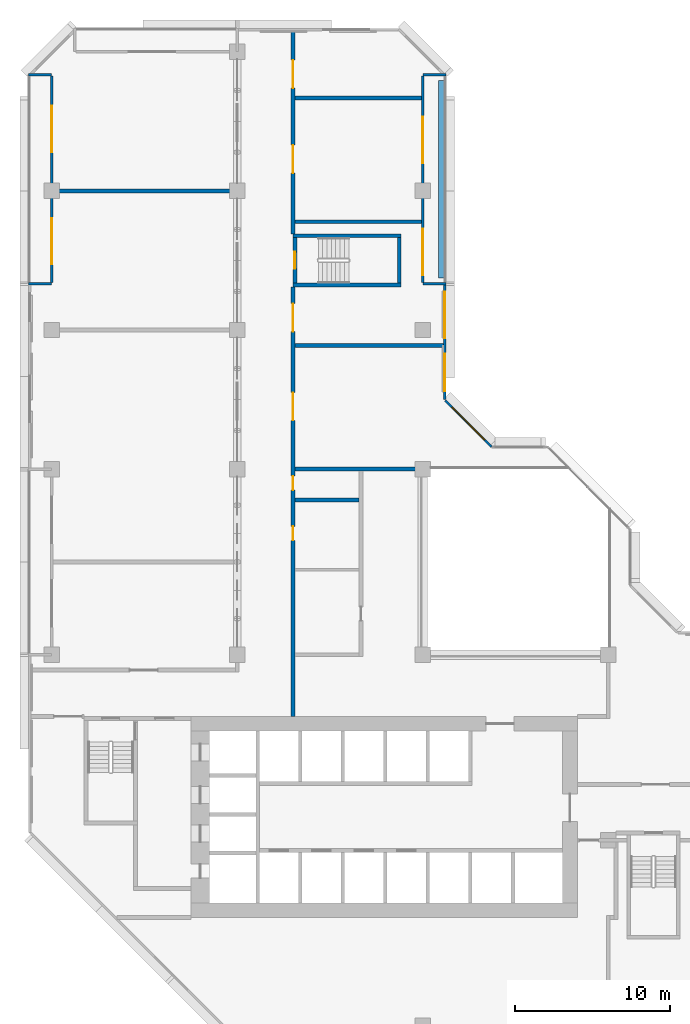
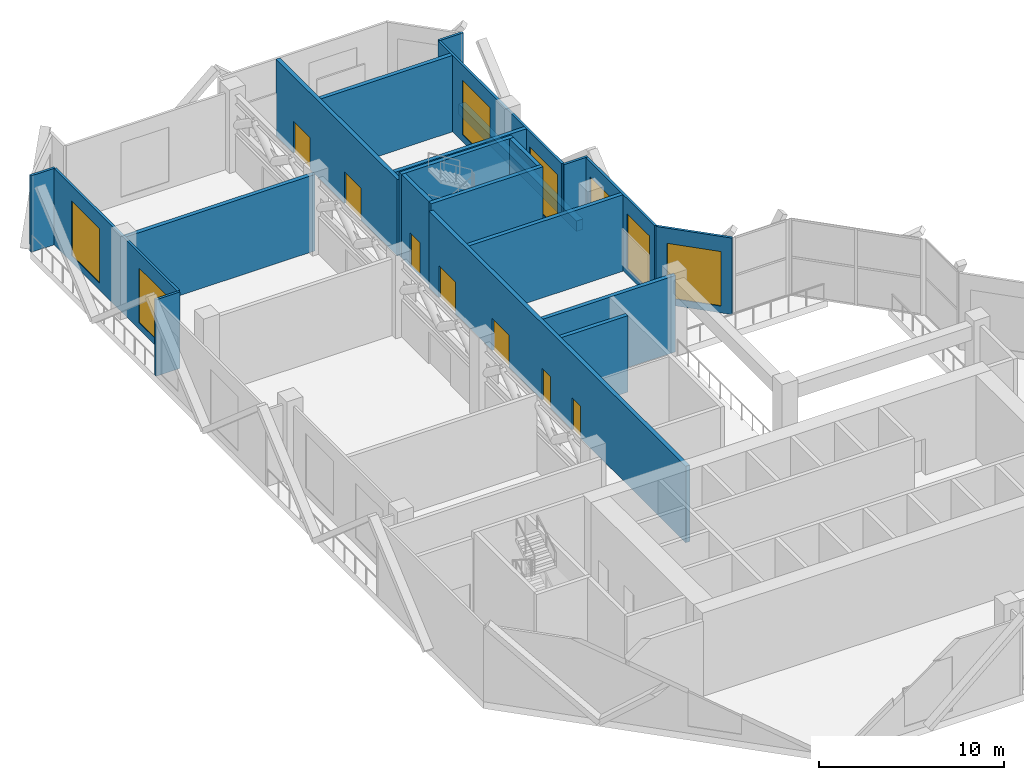
# One storey, part 9 of 15: 21 walls, 7 doors, 7 windows, 14 openings.
"""IFC4 building model written with IfcOpenShell, lengths in metres."""

from ifc_helpers import new_model, si_unit, direction, frame, frame_2d, origin, place, context, subcontext, project, spatial, rectangle, extrude, material, layer, layer_set, type_object, element, fill, save


model = new_model("IFC4")

# Units and contexts
model_context = context("Model", 3, precision=1e-05, world=origin(), true_north=direction((0.0, 1.0)))
body_context = subcontext(model_context, "Body", "Model", "MODEL_VIEW")
ifc_project = project(units=[si_unit("LENGTHUNIT", "METRE"), si_unit("AREAUNIT", "SQUARE_METRE"), si_unit("VOLUMEUNIT", "CUBIC_METRE"), si_unit("PLANEANGLEUNIT", "RADIAN"), si_unit("MASSUNIT", "GRAM", prefix="KILO")], contexts=[model_context])

# Site, building, storey
site_placement = place(None, origin())
site = spatial("IfcSite", under=ifc_project, at=site_placement, CompositionType="ELEMENT")
building_placement = place(site_placement, origin())
building = spatial("IfcBuilding", under=site, at=building_placement, Name="Chenar Terraces", CompositionType="ELEMENT")
storey_placement = place(building_placement, frame((0.0, 0.0, 140.64990234375)))
storey = spatial("IfcBuildingStorey", under=building, at=storey_placement, Name="L33", CompositionType="ELEMENT", Elevation=140.64990234375)

# Walls
ifc_material_1 = material(Name="Concrete C70/85", Category="concrete")
ifc_layer_1 = layer(ifc_material_1, 0.25)
ifc_layer_set_1 = layer_set([ifc_layer_1], Name="Concrete C70/85")
wall_type_1 = type_object("IfcWallType", Name="Core wall 250 Concrete C70/85", PredefinedType="SHEAR", material=ifc_layer_set_1)
for number, where, z_axis, x_axis, name in (
    (1, (15.60009765625, 47.89990234375, 0.0), (0.0, 0.0, 1.0), (1.0, 0.0, 0.0), "Core wall ST4_S L33"),
    (2, (15.60009765625, 51.10009765625, 0.0), (0.0, 0.0, 1.0), (1.0, 0.0, 0.0), "Core wall ST4_N L33"),
):
    element("IfcWall", number, at=place(storey_placement, frame(where, z_axis=z_axis, x_axis=x_axis)), inside=storey, type_object=wall_type_1, Name=name, PredefinedType="SHEAR", context=body_context, shape_type="SweptSolid", body=[
        extrude(rectangle(XDim=7.0, YDim=0.25, at=frame_2d((3.5, 0.0))), origin(), (0.0, 0.0, 1.0), 5.5),
    ])

# Wall, opening, door
wall_1_placement = place(storey_placement, frame((15.72509765625, 48.02490234375, 0.0), z_axis=(0.0, 0.0, 1.0), x_axis=(0.0, 1.0, 0.0)))
wall_1 = element("IfcWall", 3, at=wall_1_placement, inside=storey, type_object=wall_type_1, Name="Core wall ST4_W L33", PredefinedType="SHEAR", context=body_context, shape_type="SweptSolid", body=[
    extrude(rectangle(XDim=2.9501953125, YDim=0.25, at=frame_2d((1.47509765625, 0.0))), origin(), (0.0, 0.0, 1.0), 5.5),
])
opening_1_placement = place(wall_1_placement, frame((0.925048828125, 0.0, 0.0)))
opening_1 = element("IfcOpeningElement", 4, at=opening_1_placement, cuts=wall_1, Name="Opening DL33-C9", PredefinedType="OPENING", context=body_context, shape_type="SweptSolid", body=[
    extrude(rectangle(XDim=1.10009765625, YDim=2.199951171875, at=frame_2d((0.550048828125, 1.10009765625))), frame((0.0, 0.135009765625, 0.0), z_axis=(0.0, -1.0, 0.0), x_axis=(1.0, 0.0, 0.0)), (0.0, 0.0, 1.0), 0.27001953125),
])
ifc_material_2 = material(Name="Steel-framed fire-resisting door leaf", Category="steel")
door_type_1 = type_object("IfcDoorType", Name="Stair fire door FD60 1100 x 2200", OperationType="SINGLE_SWING_LEFT", PredefinedType="DOOR", material=ifc_material_2)
door_1_placement = place(opening_1_placement, frame((1.10009765625, 0.0, 0.0), z_axis=(0.0, 0.0, 1.0), x_axis=(-1.0, 0.0, 0.0)))
door_1 = element("IfcDoor", 5, at=door_1_placement, inside=storey, type_object=door_type_1, Name="Stair door DL33-C9", OperationType="SINGLE_SWING_RIGHT", OverallHeight=2.199951171875, OverallWidth=1.10009765625, PredefinedType="DOOR", context=body_context, shape_type="SweptSolid", body=[
    extrude(rectangle(XDim=1.10009765625, YDim=2.199951171875, at=frame_2d((0.550048828125, 1.10009765625))), frame((0.0, 0.02490234375, 0.0), z_axis=(0.0, -1.0, 0.0), x_axis=(1.0, 0.0, 0.0)), (0.0, 0.0, 1.0), 0.050048828125),
])
fill(opening_1, door_1)

# Wall
wall_2_placement = place(storey_placement, frame((22.47509765625, 48.02490234375, 0.0), z_axis=(0.0, 0.0, 1.0), x_axis=(0.0, 1.0, 0.0)))
element("IfcWall", 6, at=wall_2_placement, inside=storey, type_object=wall_type_1, Name="Core wall ST4_E L33", PredefinedType="SHEAR", context=body_context, shape_type="SweptSolid", body=[
    extrude(rectangle(XDim=2.9501953125, YDim=0.25, at=frame_2d((1.47509765625, 0.0))), origin(), (0.0, 0.0, 1.0), 5.5),
])

# Wall, openings, windows
ifc_material_3 = material(Name="Aluminium framed glazing", Category="aluminium")
ifc_layer_2 = layer(ifc_material_3, 0.14990234375)
ifc_layer_set_2 = layer_set([ifc_layer_2], Name="Aluminium framed glazing")
wall_type_2 = type_object("IfcWallType", Name="Glazed flush facade wall 150", PredefinedType="SOLIDWALL", material=ifc_layer_set_2)
wall_3_placement = place(storey_placement, frame((25.425048828125, 40.5, 0.0), z_axis=(0.0, 0.0, 1.0), x_axis=(0.0, 1.0, 0.0)))
wall_3 = element("IfcWall", 7, at=wall_3_placement, inside=storey, type_object=wall_type_2, Name="Glazed flush facade wall", PredefinedType="SOLIDWALL", context=body_context, shape_type="SweptSolid", body=[
    extrude(rectangle(XDim=7.425048828125, YDim=0.14990234375, at=frame_2d((3.71240234375, 0.0))), origin(), (0.0, 0.0, 1.0), 5.050048828125),
])
opening_2_placement = place(wall_3_placement, frame((0.550048828125, 0.0, 0.449951171875)))
opening_2 = element("IfcOpeningElement", 8, at=opening_2_placement, cuts=wall_3, Name="Opening W240x360", PredefinedType="OPENING", context=body_context, shape_type="SweptSolid", body=[
    extrude(rectangle(XDim=2.39990234375, YDim=3.60009765625, at=frame_2d((1.199951171875, 1.800048828125))), frame((0.0, 0.0849609375, 0.0), z_axis=(0.0, -1.0, 0.0), x_axis=(1.0, 0.0, 0.0)), (0.0, 0.0, 1.0), 0.169921875),
])
opening_3_placement = place(wall_3_placement, frame((3.96240234375, 0.0, 0.449951171875)))
opening_3 = element("IfcOpeningElement", 9, at=opening_3_placement, cuts=wall_3, Name="Opening W300x360", PredefinedType="OPENING", context=body_context, shape_type="SweptSolid", body=[
    extrude(rectangle(XDim=3.0, YDim=3.60009765625, at=frame_2d((1.5, 1.800048828125))), frame((0.0, 0.0849609375, 0.0), z_axis=(0.0, -1.0, 0.0), x_axis=(1.0, 0.0, 0.0)), (0.0, 0.0, 1.0), 0.169921875),
])
ifc_material_4 = material(Name="Low emissivity double glazing, aluminium frame", Category="aluminium")
window_type_1 = type_object("IfcWindowType", Name="Fixed light 2400 x 3600", PartitioningType="SINGLE_PANEL", PredefinedType="WINDOW", material=ifc_material_4)
window_1_placement = place(opening_2_placement, origin())
window_1 = element("IfcWindow", 10, at=window_1_placement, inside=storey, type_object=window_type_1, Name="Window", OverallHeight=3.60009765625, OverallWidth=2.39990234375, PartitioningType="SINGLE_PANEL", PredefinedType="WINDOW", context=body_context, shape_type="SweptSolid", body=[
    extrude(rectangle(XDim=2.39990234375, YDim=3.60009765625, at=frame_2d((1.199951171875, 1.800048828125))), frame((0.0, 0.030029296875, 0.0), z_axis=(0.0, -1.0, 0.0), x_axis=(1.0, 0.0, 0.0)), (0.0, 0.0, 1.0), 0.06005859375),
])
fill(opening_2, window_1)
ifc_material_5 = material(Name="Low emissivity double glazing, aluminium frame", Category="aluminium")
window_type_2 = type_object("IfcWindowType", Name="Fixed light 3000 x 3600", PartitioningType="SINGLE_PANEL", PredefinedType="WINDOW", material=ifc_material_5)
window_2_placement = place(opening_3_placement, origin())
window_2 = element("IfcWindow", 11, at=window_2_placement, inside=storey, type_object=window_type_2, Name="Window", OverallHeight=3.60009765625, OverallWidth=3.0, PartitioningType="SINGLE_PANEL", PredefinedType="WINDOW", context=body_context, shape_type="SweptSolid", body=[
    extrude(rectangle(XDim=3.0, YDim=3.60009765625, at=frame_2d((1.5, 1.800048828125))), frame((0.0, 0.030029296875, 0.0), z_axis=(0.0, -1.0, 0.0), x_axis=(1.0, 0.0, 0.0)), (0.0, 0.0, 1.0), 0.06005859375),
])
fill(opening_3, window_2)

ifc_material_6 = material(Name="Aluminium framed glazing", Category="aluminium")
ifc_layer_3 = layer(ifc_material_6, 0.14990234375)
ifc_layer_set_3 = layer_set([ifc_layer_3], Name="Aluminium framed glazing")
wall_type_3 = type_object("IfcWallType", Name="Glazed loggia back wall 150", PredefinedType="SOLIDWALL", material=ifc_layer_set_3)
wall_4_placement = place(storey_placement, frame((24.0, 48.074951171875, 0.0), z_axis=(0.0, 0.0, 1.0), x_axis=(0.0, 1.0, 0.0)))
wall_4 = element("IfcWall", 12, at=wall_4_placement, inside=storey, type_object=wall_type_3, Name="Glazed loggia back wall", PredefinedType="SOLIDWALL", context=body_context, shape_type="SweptSolid", body=[
    extrude(rectangle(XDim=13.35009765625, YDim=0.14990234375, at=frame_2d((6.675048828125, 0.0))), origin(), (0.0, 0.0, 1.0), 5.050048828125),
])
opening_4_placement = place(wall_4_placement, frame((0.46240234375, 0.0, 0.449951171875)))
opening_4 = element("IfcOpeningElement", 13, at=opening_4_placement, cuts=wall_4, Name="Opening W300x360", PredefinedType="OPENING", context=body_context, shape_type="SweptSolid", body=[
    extrude(rectangle(XDim=3.0, YDim=3.60009765625, at=frame_2d((1.5, 1.800048828125))), frame((0.0, 0.0849609375, 0.0), z_axis=(0.0, -1.0, 0.0), x_axis=(1.0, 0.0, 0.0)), (0.0, 0.0, 1.0), 0.169921875),
])
opening_5_placement = place(wall_4_placement, frame((7.72509765625, 0.0, 0.449951171875)))
opening_5 = element("IfcOpeningElement", 14, at=opening_5_placement, cuts=wall_4, Name="Opening W300x360", PredefinedType="OPENING", context=body_context, shape_type="SweptSolid", body=[
    extrude(rectangle(XDim=3.0, YDim=3.60009765625, at=frame_2d((1.5, 1.800048828125))), frame((0.0, 0.0849609375, 0.0), z_axis=(0.0, -1.0, 0.0), x_axis=(1.0, 0.0, 0.0)), (0.0, 0.0, 1.0), 0.169921875),
])
window_3_placement = place(opening_4_placement, origin())
window_3 = element("IfcWindow", 15, at=window_3_placement, inside=storey, type_object=window_type_2, Name="Window", OverallHeight=3.60009765625, OverallWidth=3.0, PartitioningType="SINGLE_PANEL", PredefinedType="WINDOW", context=body_context, shape_type="SweptSolid", body=[
    extrude(rectangle(XDim=3.0, YDim=3.60009765625, at=frame_2d((1.5, 1.800048828125))), frame((0.0, 0.030029296875, 0.0), z_axis=(0.0, -1.0, 0.0), x_axis=(1.0, 0.0, 0.0)), (0.0, 0.0, 1.0), 0.06005859375),
])
fill(opening_4, window_3)
window_4_placement = place(opening_5_placement, origin())
window_4 = element("IfcWindow", 16, at=window_4_placement, inside=storey, type_object=window_type_2, Name="Window", OverallHeight=3.60009765625, OverallWidth=3.0, PartitioningType="SINGLE_PANEL", PredefinedType="WINDOW", context=body_context, shape_type="SweptSolid", body=[
    extrude(rectangle(XDim=3.0, YDim=3.60009765625, at=frame_2d((1.5, 1.800048828125))), frame((0.0, 0.030029296875, 0.0), z_axis=(0.0, -1.0, 0.0), x_axis=(1.0, 0.0, 0.0)), (0.0, 0.0, 1.0), 0.06005859375),
])
fill(opening_5, window_4)

wall_5_placement = place(storey_placement, frame((0.0, 61.425048828125, 0.0), z_axis=(0.0, 0.0, 1.0), x_axis=(0.0, -1.0, 0.0)))
wall_5 = element("IfcWall", 17, at=wall_5_placement, inside=storey, type_object=wall_type_3, Name="Glazed loggia back wall", PredefinedType="SOLIDWALL", context=body_context, shape_type="SweptSolid", body=[
    extrude(rectangle(XDim=13.35009765625, YDim=0.14990234375, at=frame_2d((6.675048828125, 0.0))), origin(), (0.0, 0.0, 1.0), 5.050048828125),
])
opening_6_placement = place(wall_5_placement, frame((1.91259765625, 0.0, 0.449951171875)))
opening_6 = element("IfcOpeningElement", 18, at=opening_6_placement, cuts=wall_5, Name="Opening W300x360", PredefinedType="OPENING", context=body_context, shape_type="SweptSolid", body=[
    extrude(rectangle(XDim=3.0, YDim=3.60009765625, at=frame_2d((1.5, 1.800048828125))), frame((0.0, 0.0849609375, 0.0), z_axis=(0.0, -1.0, 0.0), x_axis=(1.0, 0.0, 0.0)), (0.0, 0.0, 1.0), 0.169921875),
])
opening_7_placement = place(wall_5_placement, frame((9.1875, 0.0, 0.449951171875)))
opening_7 = element("IfcOpeningElement", 19, at=opening_7_placement, cuts=wall_5, Name="Opening W300x360", PredefinedType="OPENING", context=body_context, shape_type="SweptSolid", body=[
    extrude(rectangle(XDim=3.0, YDim=3.60009765625, at=frame_2d((1.5, 1.800048828125))), frame((0.0, 0.0849609375, 0.0), z_axis=(0.0, -1.0, 0.0), x_axis=(1.0, 0.0, 0.0)), (0.0, 0.0, 1.0), 0.169921875),
])
window_5_placement = place(opening_6_placement, origin())
window_5 = element("IfcWindow", 20, at=window_5_placement, inside=storey, type_object=window_type_2, Name="Window", OverallHeight=3.60009765625, OverallWidth=3.0, PartitioningType="SINGLE_PANEL", PredefinedType="WINDOW", context=body_context, shape_type="SweptSolid", body=[
    extrude(rectangle(XDim=3.0, YDim=3.60009765625, at=frame_2d((1.5, 1.800048828125))), frame((0.0, 0.030029296875, 0.0), z_axis=(0.0, -1.0, 0.0), x_axis=(1.0, 0.0, 0.0)), (0.0, 0.0, 1.0), 0.06005859375),
])
fill(opening_6, window_5)
window_6_placement = place(opening_7_placement, origin())
window_6 = element("IfcWindow", 21, at=window_6_placement, inside=storey, type_object=window_type_2, Name="Window", OverallHeight=3.60009765625, OverallWidth=3.0, PartitioningType="SINGLE_PANEL", PredefinedType="WINDOW", context=body_context, shape_type="SweptSolid", body=[
    extrude(rectangle(XDim=3.0, YDim=3.60009765625, at=frame_2d((1.5, 1.800048828125))), frame((0.0, 0.030029296875, 0.0), z_axis=(0.0, -1.0, 0.0), x_axis=(1.0, 0.0, 0.0)), (0.0, 0.0, 1.0), 0.06005859375),
])
fill(opening_7, window_6)

# Walls
ifc_material_7 = material(Name="Terracotta cladding on insulated backing", Category="masonry")
ifc_layer_4 = layer(ifc_material_7, 0.14990234375)
ifc_layer_set_4 = layer_set([ifc_layer_4], Name="Terracotta cladding on insulated backing")
wall_type_4 = type_object("IfcWallType", Name="Loggia return wall 150", PredefinedType="SOLIDWALL", material=ifc_layer_set_4)
for number, where, z_axis, x_axis, name in (
    (22, (25.5, 48.0, 0.0), (0.0, 0.0, 1.0), (-1.0, 0.0, 0.0), "Loggia return wall"),
    (23, (25.5, 61.5, 0.0), (0.0, 0.0, 1.0), (-1.0, 0.0, 0.0), "Loggia return wall"),
    (24, (-1.5, 61.5, 0.0), (0.0, 0.0, 1.0), (1.0, 0.0, 0.0), "Loggia return wall"),
    (25, (-1.5, 48.0, 0.0), (0.0, 0.0, 1.0), (1.0, 0.0, 0.0), "Loggia return wall"),
):
    element("IfcWall", number, at=place(storey_placement, frame(where, z_axis=z_axis, x_axis=x_axis)), inside=storey, type_object=wall_type_4, Name=name, PredefinedType="SOLIDWALL", context=body_context, shape_type="SweptSolid", body=[
        extrude(rectangle(XDim=1.5, YDim=0.14990234375, at=frame_2d((0.75, 0.0))), origin(), (0.0, 0.0, 1.0), 5.050048828125),
    ])
ifc_material_8 = material(Name="Fire-board and steel stud wall with mineral wool", Category="steel")
ifc_layer_5 = layer(ifc_material_8, 0.25)
ifc_layer_set_5 = layer_set([ifc_layer_5], Name="Fire-board and steel stud wall with mineral wool")
wall_type_5 = type_object("IfcWallType", Name="Refuge compartment wall 250", PredefinedType="PARTITIONING", material=ifc_layer_set_5)
wall_6_placement = place(storey_placement, frame((0.073974609375, 54.0, 0.0), z_axis=(0.0, 0.0, 1.0), x_axis=(1.0, 0.0, 0.0)))
element("IfcWall", 26, at=wall_6_placement, inside=storey, type_object=wall_type_5, Name="Partition L33-005", PredefinedType="PARTITIONING", context=body_context, shape_type="SweptSolid", body=[
    extrude(rectangle(XDim=11.801025390625, YDim=0.25, at=frame_2d((5.900390625, 0.0))), origin(), (0.0, 0.0, 1.0), 5.050048828125),
])

# Wall, openings, doors
wall_7_placement = place(storey_placement, frame((15.60009765625, 20.0, 0.0), z_axis=(0.0, 0.0, 1.0), x_axis=(0.0, 1.0, 0.0)))
wall_7 = element("IfcWall", 27, at=wall_7_placement, inside=storey, type_object=wall_type_5, Name="Partition L33-008", PredefinedType="PARTITIONING", context=body_context, shape_type="SweptSolid", body=[
    extrude(rectangle(XDim=27.77490234375, YDim=0.25, at=frame_2d((13.887451171875, 0.0))), origin(), (0.0, 0.0, 1.0), 5.050048828125),
])
opening_8_placement = place(wall_7_placement, frame((19.14990234375, 0.0, 0.0)))
opening_8 = element("IfcOpeningElement", 28, at=opening_8_placement, cuts=wall_7, Name="Opening DL33-8", PredefinedType="OPENING", context=body_context, shape_type="SweptSolid", body=[
    extrude(rectangle(XDim=1.800048828125, YDim=2.10009765625, at=frame_2d((0.89990234375, 1.050048828125))), frame((0.0, 0.135009765625, 0.0), z_axis=(0.0, -1.0, 0.0), x_axis=(1.0, 0.0, 0.0)), (0.0, 0.0, 1.0), 0.27001953125),
])
opening_9_placement = place(wall_7_placement, frame((24.89990234375, 0.0, 0.0)))
opening_9 = element("IfcOpeningElement", 29, at=opening_9_placement, cuts=wall_7, Name="Opening DL33-9", PredefinedType="OPENING", context=body_context, shape_type="SweptSolid", body=[
    extrude(rectangle(XDim=1.800048828125, YDim=2.10009765625, at=frame_2d((0.89990234375, 1.050048828125))), frame((0.0, 0.135009765625, 0.0), z_axis=(0.0, -1.0, 0.0), x_axis=(1.0, 0.0, 0.0)), (0.0, 0.0, 1.0), 0.27001953125),
])
opening_10_placement = place(wall_7_placement, frame((14.64990234375, 0.0, 0.0)))
opening_10 = element("IfcOpeningElement", 30, at=opening_10_placement, cuts=wall_7, Name="Opening DL33-16", PredefinedType="OPENING", context=body_context, shape_type="SweptSolid", body=[
    extrude(rectangle(XDim=0.89990234375, YDim=2.10009765625, at=frame_2d((0.449951171875, 1.050048828125))), frame((0.0, 0.135009765625, 0.0), z_axis=(0.0, -1.0, 0.0), x_axis=(1.0, 0.0, 0.0)), (0.0, 0.0, 1.0), 0.27001953125),
])
opening_11_placement = place(wall_7_placement, frame((11.39990234375, 0.0, 0.0)))
opening_11 = element("IfcOpeningElement", 31, at=opening_11_placement, cuts=wall_7, Name="Opening DL33-20", PredefinedType="OPENING", context=body_context, shape_type="SweptSolid", body=[
    extrude(rectangle(XDim=0.89990234375, YDim=2.10009765625, at=frame_2d((0.449951171875, 1.050048828125))), frame((0.0, 0.135009765625, 0.0), z_axis=(0.0, -1.0, 0.0), x_axis=(1.0, 0.0, 0.0)), (0.0, 0.0, 1.0), 0.27001953125),
])
ifc_material_9 = material(Name="Steel-framed fire-resisting door leaf", Category="steel")
door_type_2 = type_object("IfcDoorType", Name="Fire door FD120 900 x 2100", OperationType="SINGLE_SWING_LEFT", PredefinedType="DOOR", material=ifc_material_9)
door_2_placement = place(opening_10_placement, frame((0.89990234375, 0.0, 0.0), z_axis=(0.0, 0.0, 1.0), x_axis=(-1.0, 0.0, 0.0)))
door_2 = element("IfcDoor", 32, at=door_2_placement, inside=storey, type_object=door_type_2, Name="Door DL33-16", OperationType="SINGLE_SWING_LEFT", OverallHeight=2.10009765625, OverallWidth=0.89990234375, PredefinedType="DOOR", context=body_context, shape_type="SweptSolid", body=[
    extrude(rectangle(XDim=0.89990234375, YDim=2.10009765625, at=frame_2d((0.449951171875, 1.050048828125))), frame((0.0, 0.02490234375, 0.0), z_axis=(0.0, -1.0, 0.0), x_axis=(1.0, 0.0, 0.0)), (0.0, 0.0, 1.0), 0.050048828125),
])
fill(opening_10, door_2)
door_3_placement = place(opening_11_placement, frame((0.89990234375, 0.0, 0.0), z_axis=(0.0, 0.0, 1.0), x_axis=(-1.0, 0.0, 0.0)))
door_3 = element("IfcDoor", 33, at=door_3_placement, inside=storey, type_object=door_type_2, Name="Door DL33-20", OperationType="SINGLE_SWING_LEFT", OverallHeight=2.10009765625, OverallWidth=0.89990234375, PredefinedType="DOOR", context=body_context, shape_type="SweptSolid", body=[
    extrude(rectangle(XDim=0.89990234375, YDim=2.10009765625, at=frame_2d((0.449951171875, 1.050048828125))), frame((0.0, 0.02490234375, 0.0), z_axis=(0.0, -1.0, 0.0), x_axis=(1.0, 0.0, 0.0)), (0.0, 0.0, 1.0), 0.050048828125),
])
fill(opening_11, door_3)
ifc_material_10 = material(Name="Steel-framed fire-resisting door leaf", Category="steel")
door_type_3 = type_object("IfcDoorType", Name="Fire double door FD120 1800 x 2100", OperationType="DOUBLE_DOOR_SINGLE_SWING", PredefinedType="DOOR", material=ifc_material_10)
door_4_placement = place(opening_8_placement, frame((1.800048828125, 0.0, 0.0), z_axis=(0.0, 0.0, 1.0), x_axis=(-1.0, 0.0, 0.0)))
door_4 = element("IfcDoor", 34, at=door_4_placement, inside=storey, type_object=door_type_3, Name="Door DL33-8", OperationType="DOUBLE_DOOR_SINGLE_SWING", OverallHeight=2.10009765625, OverallWidth=1.800048828125, PredefinedType="DOOR", context=body_context, shape_type="SweptSolid", body=[
    extrude(rectangle(XDim=1.800048828125, YDim=2.10009765625, at=frame_2d((0.89990234375, 1.050048828125))), frame((0.0, 0.02490234375, 0.0), z_axis=(0.0, -1.0, 0.0), x_axis=(1.0, 0.0, 0.0)), (0.0, 0.0, 1.0), 0.050048828125),
])
fill(opening_8, door_4)
door_5_placement = place(opening_9_placement, frame((1.800048828125, 0.0, 0.0), z_axis=(0.0, 0.0, 1.0), x_axis=(-1.0, 0.0, 0.0)))
door_5 = element("IfcDoor", 35, at=door_5_placement, inside=storey, type_object=door_type_3, Name="Door DL33-9", OperationType="DOUBLE_DOOR_SINGLE_SWING", OverallHeight=2.10009765625, OverallWidth=1.800048828125, PredefinedType="DOOR", context=body_context, shape_type="SweptSolid", body=[
    extrude(rectangle(XDim=1.800048828125, YDim=2.10009765625, at=frame_2d((0.89990234375, 1.050048828125))), frame((0.0, 0.02490234375, 0.0), z_axis=(0.0, -1.0, 0.0), x_axis=(1.0, 0.0, 0.0)), (0.0, 0.0, 1.0), 0.050048828125),
])
fill(opening_9, door_5)

wall_8_placement = place(storey_placement, frame((15.60009765625, 51.22509765625, 0.0), z_axis=(0.0, 0.0, 1.0), x_axis=(0.0, 1.0, 0.0)))
wall_8 = element("IfcWall", 36, at=wall_8_placement, inside=storey, type_object=wall_type_5, Name="Partition L33-009", PredefinedType="PARTITIONING", context=body_context, shape_type="SweptSolid", body=[
    extrude(rectangle(XDim=13.125, YDim=0.25, at=frame_2d((6.5625, 0.0))), origin(), (0.0, 0.0, 1.0), 5.050048828125),
])
opening_12_placement = place(wall_8_placement, frame((3.925048828125, 0.0, 0.0)))
opening_12 = element("IfcOpeningElement", 37, at=opening_12_placement, cuts=wall_8, Name="Opening DL33-10", PredefinedType="OPENING", context=body_context, shape_type="SweptSolid", body=[
    extrude(rectangle(XDim=1.800048828125, YDim=2.10009765625, at=frame_2d((0.89990234375, 1.050048828125))), frame((0.0, 0.135009765625, 0.0), z_axis=(0.0, -1.0, 0.0), x_axis=(1.0, 0.0, 0.0)), (0.0, 0.0, 1.0), 0.27001953125),
])
opening_13_placement = place(wall_8_placement, frame((9.425048828125, 0.0, 0.0)))
opening_13 = element("IfcOpeningElement", 38, at=opening_13_placement, cuts=wall_8, Name="Opening DL33-11", PredefinedType="OPENING", context=body_context, shape_type="SweptSolid", body=[
    extrude(rectangle(XDim=1.800048828125, YDim=2.10009765625, at=frame_2d((0.89990234375, 1.050048828125))), frame((0.0, 0.135009765625, 0.0), z_axis=(0.0, -1.0, 0.0), x_axis=(1.0, 0.0, 0.0)), (0.0, 0.0, 1.0), 0.27001953125),
])
door_6_placement = place(opening_12_placement, frame((1.800048828125, 0.0, 0.0), z_axis=(0.0, 0.0, 1.0), x_axis=(-1.0, 0.0, 0.0)))
door_6 = element("IfcDoor", 39, at=door_6_placement, inside=storey, type_object=door_type_3, Name="Door DL33-10", OperationType="DOUBLE_DOOR_SINGLE_SWING", OverallHeight=2.10009765625, OverallWidth=1.800048828125, PredefinedType="DOOR", context=body_context, shape_type="SweptSolid", body=[
    extrude(rectangle(XDim=1.800048828125, YDim=2.10009765625, at=frame_2d((0.89990234375, 1.050048828125))), frame((0.0, 0.02490234375, 0.0), z_axis=(0.0, -1.0, 0.0), x_axis=(1.0, 0.0, 0.0)), (0.0, 0.0, 1.0), 0.050048828125),
])
fill(opening_12, door_6)
door_7_placement = place(opening_13_placement, frame((1.800048828125, 0.0, 0.0), z_axis=(0.0, 0.0, 1.0), x_axis=(-1.0, 0.0, 0.0)))
door_7 = element("IfcDoor", 40, at=door_7_placement, inside=storey, type_object=door_type_3, Name="Door DL33-11", OperationType="DOUBLE_DOOR_SINGLE_SWING", OverallHeight=2.10009765625, OverallWidth=1.800048828125, PredefinedType="DOOR", context=body_context, shape_type="SweptSolid", body=[
    extrude(rectangle(XDim=1.800048828125, YDim=2.10009765625, at=frame_2d((0.89990234375, 1.050048828125))), frame((0.0, 0.02490234375, 0.0), z_axis=(0.0, -1.0, 0.0), x_axis=(1.0, 0.0, 0.0)), (0.0, 0.0, 1.0), 0.050048828125),
])
fill(opening_13, door_7)

# Walls
wall_9_placement = place(storey_placement, frame((15.72509765625, 34.0, 0.0), z_axis=(0.0, 0.0, 1.0), x_axis=(1.0, 0.0, 0.0)))
element("IfcWall", 41, at=wall_9_placement, inside=storey, type_object=wall_type_5, Name="Partition L33-012", PredefinedType="PARTITIONING", context=body_context, shape_type="SweptSolid", body=[
    extrude(rectangle(XDim=4.14990234375, YDim=0.25, at=frame_2d((2.074951171875, 0.0))), origin(), (0.0, 0.0, 1.0), 5.050048828125),
])
wall_10_placement = place(storey_placement, frame((15.72509765625, 36.0, 0.0), z_axis=(0.0, 0.0, 1.0), x_axis=(1.0, 0.0, 0.0)))
element("IfcWall", 42, at=wall_10_placement, inside=storey, type_object=wall_type_5, Name="Partition L33-013", PredefinedType="PARTITIONING", context=body_context, shape_type="SweptSolid", body=[
    extrude(rectangle(XDim=8.27490234375, YDim=0.25, at=frame_2d((4.137451171875, 0.0))), origin(), (0.0, 0.0, 1.0), 5.050048828125),
])
wall_11_placement = place(storey_placement, frame((15.72509765625, 44.0, 0.0), z_axis=(0.0, 0.0, 1.0), x_axis=(1.0, 0.0, 0.0)))
element("IfcWall", 43, at=wall_11_placement, inside=storey, type_object=wall_type_5, Name="Partition L33-014", PredefinedType="PARTITIONING", context=body_context, shape_type="SweptSolid", body=[
    extrude(rectangle(XDim=9.625, YDim=0.25, at=frame_2d((4.8125, 0.0))), origin(), (0.0, 0.0, 1.0), 5.050048828125),
])
for number, where, z_axis, x_axis, name in (
    (44, (15.72509765625, 52.0, 0.0), (0.0, 0.0, 1.0), (1.0, 0.0, 0.0), "Partition L33-015"),
    (45, (15.72509765625, 60.0, 0.0), (0.0, 0.0, 1.0), (1.0, 0.0, 0.0), "Partition L33-016"),
):
    element("IfcWall", number, at=place(storey_placement, frame(where, z_axis=z_axis, x_axis=x_axis)), inside=storey, type_object=wall_type_5, Name=name, PredefinedType="PARTITIONING", context=body_context, shape_type="SweptSolid", body=[
        extrude(rectangle(XDim=8.200927734375, YDim=0.25, at=frame_2d((4.1005859375, 0.0))), origin(), (0.0, 0.0, 1.0), 5.050048828125),
    ])

# Wall, opening, window
ifc_material_11 = material(Name="Terracotta cladding on insulated backing", Category="masonry")
ifc_layer_6 = layer(ifc_material_11, 0.14990234375)
ifc_layer_set_6 = layer_set([ifc_layer_6], Name="Terracotta cladding on insulated backing")
wall_type_6 = type_object("IfcWallType", Name="Terracotta rainscreen wall 150", PredefinedType="SOLIDWALL", material=ifc_layer_set_6)
wall_12_placement = place(storey_placement, frame((28.447021484375, 37.447021484375, 0.0), z_axis=(0.0, 0.0, 1.0), x_axis=(-0.707106781187, 0.707106781187, 0.0)))
wall_12 = element("IfcWall", 46, at=wall_12_placement, inside=storey, type_object=wall_type_6, Name="Terracotta rainscreen wall", PredefinedType="SOLIDWALL", context=body_context, shape_type="SweptSolid", body=[
    extrude(rectangle(XDim=4.24267578125, YDim=0.14990234375, at=frame_2d((2.121337890625, 0.0))), origin(), (0.0, 0.0, 1.0), 5.050048828125),
])
opening_14_placement = place(wall_12_placement, frame((0.621337890625, 0.0, 0.449951171875)))
opening_14 = element("IfcOpeningElement", 47, at=opening_14_placement, cuts=wall_12, Name="Opening W300x360", PredefinedType="OPENING", context=body_context, shape_type="SweptSolid", body=[
    extrude(rectangle(XDim=3.0, YDim=3.60009765625, at=frame_2d((1.5, 1.800048828125))), frame((0.0, 0.0849609375, 0.0), z_axis=(0.0, -1.0, 0.0), x_axis=(1.0, 0.0, 0.0)), (0.0, 0.0, 1.0), 0.169921875),
])
window_7_placement = place(opening_14_placement, origin())
window_7 = element("IfcWindow", 48, at=window_7_placement, inside=storey, type_object=window_type_2, Name="Window", OverallHeight=3.60009765625, OverallWidth=3.0, PartitioningType="SINGLE_PANEL", PredefinedType="WINDOW", context=body_context, shape_type="SweptSolid", body=[
    extrude(rectangle(XDim=3.0, YDim=3.60009765625, at=frame_2d((1.5, 1.800048828125))), frame((0.0, 0.030029296875, 0.0), z_axis=(0.0, -1.0, 0.0), x_axis=(1.0, 0.0, 0.0)), (0.0, 0.0, 1.0), 0.06005859375),
])
fill(opening_14, window_7)

# Wall
ifc_material_12 = material(Name="GRP planter trough")
ifc_layer_7 = layer(ifc_material_12, 0.39990234375)
ifc_layer_set_7 = layer_set([ifc_layer_7], Name="GRP planter trough")
wall_type_7 = type_object("IfcWallType", Name="Vertical greenery planter 400", PredefinedType="SOLIDWALL", material=ifc_layer_set_7)
wall_13_placement = place(storey_placement, frame((25.22900390625, 48.375, 0.0), z_axis=(0.0, 0.0, 1.0), x_axis=(0.0, 1.0, 0.0)))
element("IfcWall", 49, at=wall_13_placement, inside=storey, type_object=wall_type_7, Name="Vertical greenery planter", PredefinedType="SOLIDWALL", context=body_context, shape_type="SweptSolid", body=[
    extrude(rectangle(XDim=12.75, YDim=0.39990234375, at=frame_2d((6.375, 0.0))), origin(), (0.0, 0.0, 1.0), 0.7001953125),
])

save(model, "model.ifc")
